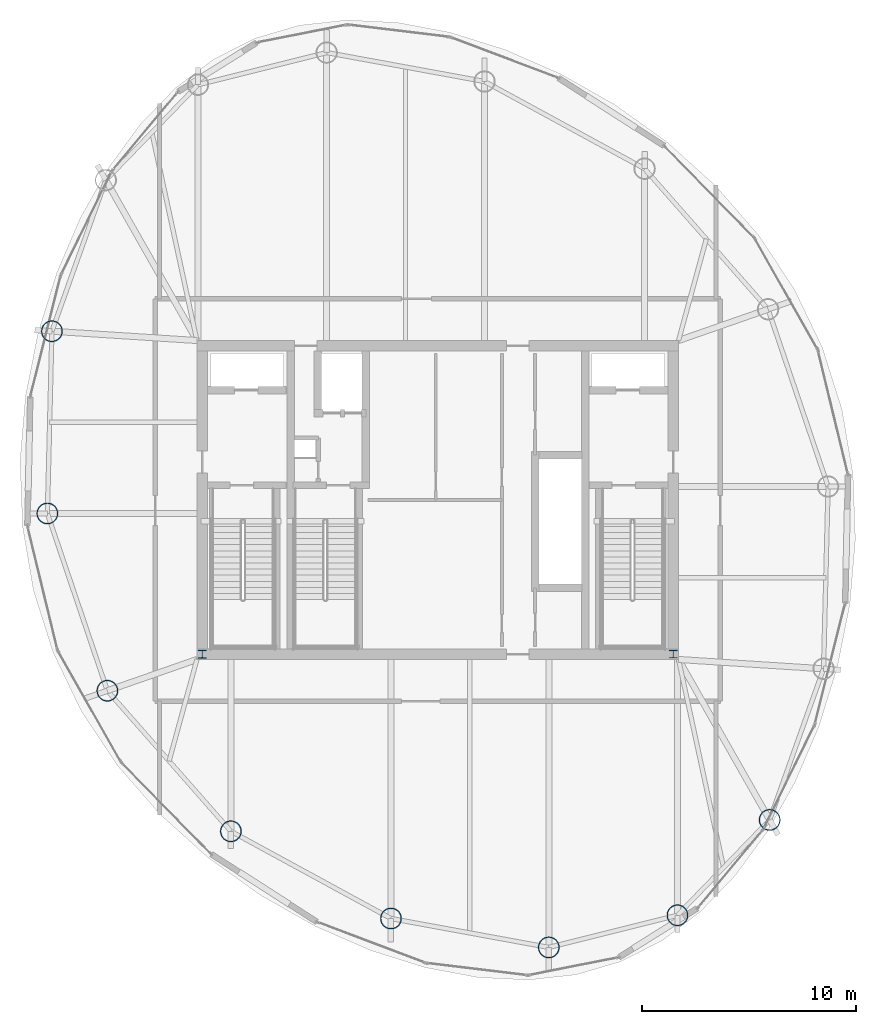
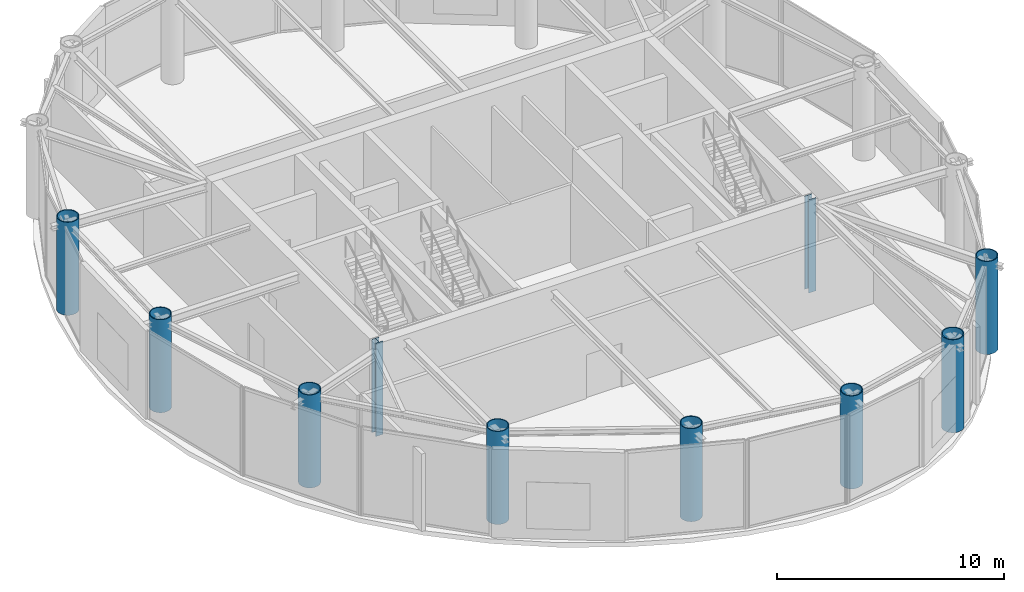
# One storey, part 1 of 23: 10 columns.
"""IFC4 building model written with IfcOpenShell, lengths in metres."""

from ifc_helpers import new_model, si_unit, direction, frame, origin, origin_2d, place, context, subcontext, project, spatial, hollow_circle, i_section, extrude, material, material_profile, profile_set, type_object, element, save


model = new_model("IFC4")

# Units and contexts
model_context = context("Model", 3, precision=1e-05, world=origin(), true_north=direction((0.0, 1.0)))
body_context = subcontext(model_context, "Body", "Model", "MODEL_VIEW")
ifc_project = project(units=[si_unit("LENGTHUNIT", "METRE"), si_unit("AREAUNIT", "SQUARE_METRE"), si_unit("VOLUMEUNIT", "CUBIC_METRE"), si_unit("PLANEANGLEUNIT", "RADIAN"), si_unit("MASSUNIT", "GRAM", prefix="KILO")], contexts=[model_context])

# Site, building, storey
site_placement = place(None, origin())
site = spatial("IfcSite", under=ifc_project, at=site_placement, CompositionType="ELEMENT")
building_placement = place(site_placement, origin())
building = spatial("IfcBuilding", under=site, at=building_placement, Name="Bramvorn Convention Spire", CompositionType="ELEMENT")
storey_placement = place(building_placement, frame((0.0, 0.0, 307.5)))
storey = spatial("IfcBuildingStorey", under=building, at=storey_placement, Name="L78", CompositionType="ELEMENT", Elevation=307.5)

# Columns
ifc_material = material(Name="Steel CSA G40.21 Grade 350 (350W)", Category="steel")
ifc_material_profile_1 = material_profile(ifc_material, hollow_circle(Radius=0.5, WallThickness=0.044921875, at=origin_2d()))
ifc_profile_set_1 = profile_set([ifc_material_profile_1], Name="Steel CSA G40.21 Grade 350 (350W) - CFT1000X45")
column_type_1 = type_object("IfcColumnType", Name="COL-CFT1000X45", PredefinedType="COLUMN", material=ifc_profile_set_1)
for number, where, z_axis, x_axis, name in (
    (1, (49.199951171875, 6.60107421875, 0.0), (0.0, 0.0, 1.0), (1.0, 0.0, 0.0), "L78 composite CFT mega-column MC01"),
    (2, (53.50634765625, 11.05615234375, 0.0), (0.0, 0.0, 1.0), (1.0, 0.0, 0.0), "L78 composite CFT mega-column MC02"),
    (3, (19.976318359375, 33.883544921875, 0.0), (0.0, 0.0, 1.0), (1.0, 0.0, 0.0), "L78 composite CFT mega-column MC11"),
    (4, (19.765380859375, 25.37060546875, 0.0), (0.0, 0.0, 1.0), (1.0, 0.0, 0.0), "L78 composite CFT mega-column MC12"),
    (5, (22.5673828125, 17.090087890625, 0.0), (0.0, 0.0, 1.0), (1.0, 0.0, 0.0), "L78 composite CFT mega-column MC13"),
    (6, (28.337646484375, 10.523193359375, 0.0), (0.0, 0.0, 1.0), (1.0, 0.0, 0.0), "L78 composite CFT mega-column MC14"),
    (7, (35.8154296875, 6.44921875, 0.0), (0.0, 0.0, 1.0), (1.0, 0.0, 0.0), "L78 composite CFT mega-column MC15"),
    (8, (43.1884765625, 5.09912109375, 0.0), (0.0, 0.0, 1.0), (1.0, 0.0, 0.0), "L78 composite CFT mega-column MC16"),
):
    element("IfcColumn", number, at=place(storey_placement, frame(where, z_axis=z_axis, x_axis=x_axis)), inside=storey, type_object=column_type_1, Name=name, PredefinedType="COLUMN", context=body_context, shape_type="SweptSolid", body=[
        extrude(hollow_circle(Radius=0.5, WallThickness=0.044921875, at=origin_2d()), origin(), (0.0, 0.0, 1.0), 5.0),
    ])
ifc_material_profile_2 = material_profile(ifc_material, i_section(OverallWidth=0.368896484375, OverallDepth=0.35595703125, WebThickness=0.01123046875, FlangeThickness=0.01806640625, FilletRadius=0.01611328125, at=origin_2d()))
ifc_profile_set_2 = profile_set([ifc_material_profile_2], Name="Steel CSA G40.21 Grade 350 (350W) - W360X134")
column_type_2 = type_object("IfcColumnType", Name="COL-W360X134", PredefinedType="COLUMN", material=ifc_profile_set_2)
column_1_placement = place(storey_placement, frame((49.0, 18.800048828125, 0.0), z_axis=(0.0, 0.0, 1.0), x_axis=(1.0, 0.0, 0.0)))
element("IfcColumn", 9, at=column_1_placement, inside=storey, type_object=column_type_2, Name="L78 auxiliary structural column PC-L78-2", PredefinedType="COLUMN", context=body_context, shape_type="SweptSolid", body=[
    extrude(i_section(OverallWidth=0.368896484375, OverallDepth=0.35595703125, WebThickness=0.01123046875, FlangeThickness=0.01806640625, FilletRadius=0.01611328125, at=origin_2d()), origin(), (0.0, 0.0, 1.0), 5.0),
])
ifc_material_profile_3 = material_profile(ifc_material, i_section(OverallWidth=0.3740234375, OverallDepth=0.3720703125, WebThickness=0.016357421875, FlangeThickness=0.026123046875, FilletRadius=0.01611328125, at=origin_2d()))
ifc_profile_set_3 = profile_set([ifc_material_profile_3], Name="Steel CSA G40.21 Grade 350 (350W) - W360X196")
column_type_3 = type_object("IfcColumnType", Name="COL-W360X196", PredefinedType="COLUMN", material=ifc_profile_set_3)
column_2_placement = place(storey_placement, frame((27.0, 18.800048828125, 0.0), z_axis=(0.0, 0.0, 1.0), x_axis=(1.0, 0.0, 0.0)))
element("IfcColumn", 10, at=column_2_placement, inside=storey, type_object=column_type_3, Name="L78 auxiliary structural column PC-L78-1", PredefinedType="COLUMN", context=body_context, shape_type="SweptSolid", body=[
    extrude(i_section(OverallWidth=0.3740234375, OverallDepth=0.3720703125, WebThickness=0.016357421875, FlangeThickness=0.026123046875, FilletRadius=0.01611328125, at=origin_2d()), origin(), (0.0, 0.0, 1.0), 5.0),
])

save(model, "model.ifc")
